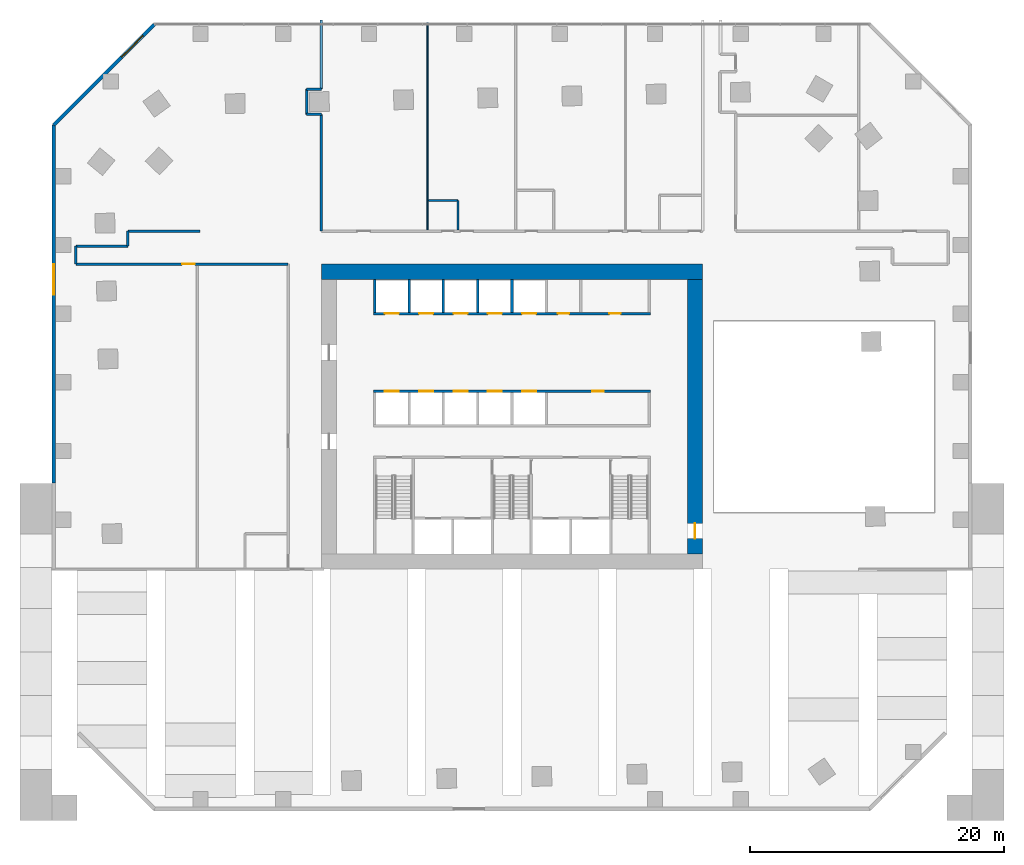
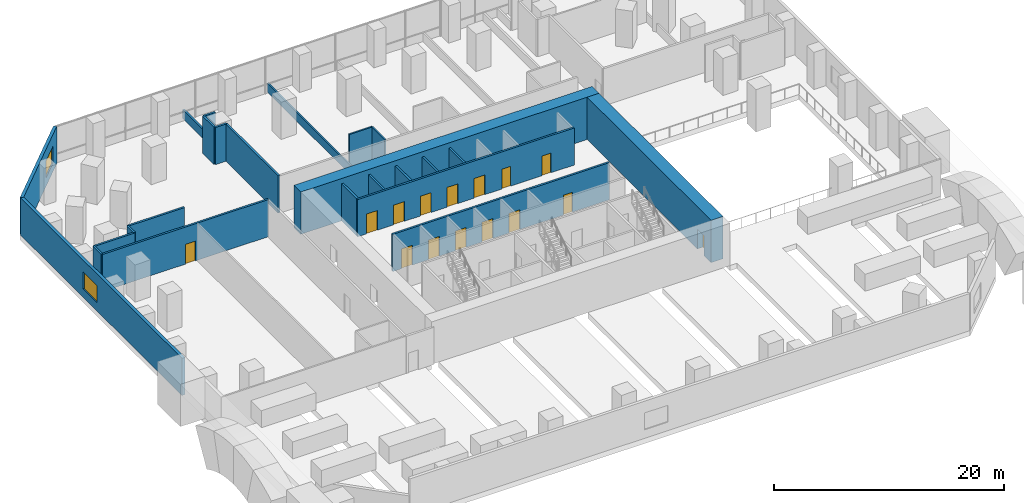
# One storey, part 8 of 13: 24 walls, 15 doors, 2 windows, 17 openings.
"""IFC4 building model written with IfcOpenShell, lengths in metres."""

from ifc_helpers import new_model, si_unit, direction, frame, frame_2d, origin, place, context, subcontext, project, spatial, rectangle, extrude, material, layer, layer_set, type_object, element, fill, save


model = new_model("IFC4")

# Units and contexts
model_context = context("Model", 3, precision=1e-05, world=origin(), true_north=direction((0.0, 1.0)))
body_context = subcontext(model_context, "Body", "Model", "MODEL_VIEW")
ifc_project = project(units=[si_unit("LENGTHUNIT", "METRE"), si_unit("AREAUNIT", "SQUARE_METRE"), si_unit("VOLUMEUNIT", "CUBIC_METRE"), si_unit("PLANEANGLEUNIT", "RADIAN"), si_unit("MASSUNIT", "GRAM", prefix="KILO")], contexts=[model_context])

# Site, building, storey
site_placement = place(None, origin())
site = spatial("IfcSite", under=ifc_project, at=site_placement, CompositionType="ELEMENT")
building_placement = place(site_placement, origin())
building = spatial("IfcBuilding", under=site, at=building_placement, Name="Mangrove Gate Tower", CompositionType="ELEMENT")
storey_placement = place(building_placement, frame((0.0, 0.0, 20.5)))
storey = spatial("IfcBuildingStorey", under=building, at=storey_placement, Name="L04", CompositionType="ELEMENT", Elevation=20.5)

# Wall, openings, doors
ifc_material_1 = material(Name="Concrete C70/85", Category="concrete")
ifc_layer_1 = layer(ifc_material_1, 0.199951171875)
ifc_layer_set_1 = layer_set([ifc_layer_1], Name="Core shaft wall 200 C70/85")
wall_type_1 = type_object("IfcWallType", Name="Core shaft wall 200 C70/85", PredefinedType="SHEAR", material=ifc_layer_set_1)
wall_1_placement = place(storey_placement, frame((-10.89990234375, 2.0, 0.0), z_axis=(0.0, 0.0, 1.0), x_axis=(1.0, 0.0, 0.0)))
wall_1 = element("IfcWall", 1, at=wall_1_placement, inside=storey, type_object=wall_type_1, Name="WALL-L04-CORE-7", PredefinedType="SHEAR", context=body_context, shape_type="SweptSolid", body=[
    extrude(rectangle(XDim=21.7998046875, YDim=0.199951171875, at=frame_2d((10.89990234375, 0.0))), origin(), (0.0, 0.0, 1.0), 3.949951171875),
])
opening_1_placement = place(wall_1_placement, frame((0.89990234375, 0.0, 0.0)))
opening_1 = element("IfcOpeningElement", 2, at=opening_1_placement, cuts=wall_1, Name="Opening LD", PredefinedType="OPENING", context=body_context, shape_type="SweptSolid", body=[
    extrude(rectangle(XDim=1.10009765625, YDim=2.10009765625, at=frame_2d((0.550048828125, 1.050048828125))), frame((0.0, 0.10986328125, 0.0), z_axis=(0.0, -1.0, 0.0), x_axis=(1.0, 0.0, 0.0)), (0.0, 0.0, 1.0), 0.219970703125),
])
opening_2_placement = place(wall_1_placement, frame((3.60009765625, 0.0, 0.0)))
opening_2 = element("IfcOpeningElement", 3, at=opening_2_placement, cuts=wall_1, Name="Opening LD", PredefinedType="OPENING", context=body_context, shape_type="SweptSolid", body=[
    extrude(rectangle(XDim=1.10009765625, YDim=2.10009765625, at=frame_2d((0.550048828125, 1.050048828125))), frame((0.0, 0.10986328125, 0.0), z_axis=(0.0, -1.0, 0.0), x_axis=(1.0, 0.0, 0.0)), (0.0, 0.0, 1.0), 0.219970703125),
])
opening_3_placement = place(wall_1_placement, frame((6.300048828125, 0.0, 0.0)))
opening_3 = element("IfcOpeningElement", 4, at=opening_3_placement, cuts=wall_1, Name="Opening LD", PredefinedType="OPENING", context=body_context, shape_type="SweptSolid", body=[
    extrude(rectangle(XDim=1.10009765625, YDim=2.10009765625, at=frame_2d((0.550048828125, 1.050048828125))), frame((0.0, 0.10986328125, 0.0), z_axis=(0.0, -1.0, 0.0), x_axis=(1.0, 0.0, 0.0)), (0.0, 0.0, 1.0), 0.219970703125),
])
opening_4_placement = place(wall_1_placement, frame((9.0, 0.0, 0.0)))
opening_4 = element("IfcOpeningElement", 5, at=opening_4_placement, cuts=wall_1, Name="Opening LD", PredefinedType="OPENING", context=body_context, shape_type="SweptSolid", body=[
    extrude(rectangle(XDim=1.10009765625, YDim=2.10009765625, at=frame_2d((0.550048828125, 1.050048828125))), frame((0.0, 0.10986328125, 0.0), z_axis=(0.0, -1.0, 0.0), x_axis=(1.0, 0.0, 0.0)), (0.0, 0.0, 1.0), 0.219970703125),
])
opening_5_placement = place(wall_1_placement, frame((11.699951171875, 0.0, 0.0)))
opening_5 = element("IfcOpeningElement", 6, at=opening_5_placement, cuts=wall_1, Name="Opening LD", PredefinedType="OPENING", context=body_context, shape_type="SweptSolid", body=[
    extrude(rectangle(XDim=1.10009765625, YDim=2.10009765625, at=frame_2d((0.550048828125, 1.050048828125))), frame((0.0, 0.10986328125, 0.0), z_axis=(0.0, -1.0, 0.0), x_axis=(1.0, 0.0, 0.0)), (0.0, 0.0, 1.0), 0.219970703125),
])
opening_6_placement = place(wall_1_placement, frame((17.199951171875, 0.0, 0.0)))
opening_6 = element("IfcOpeningElement", 7, at=opening_6_placement, cuts=wall_1, Name="Opening KD", PredefinedType="OPENING", context=body_context, shape_type="SweptSolid", body=[
    extrude(rectangle(XDim=0.89990234375, YDim=2.10009765625, at=frame_2d((0.449951171875, 1.050048828125))), frame((0.0, 0.10986328125, 0.0), z_axis=(0.0, -1.0, 0.0), x_axis=(1.0, 0.0, 0.0)), (0.0, 0.0, 1.0), 0.219970703125),
])
ifc_material_2 = material(Name="Fire-rated steel door set", Category="steel")
door_type_1 = type_object("IfcDoorType", Name="Core room door FD30S 900x2100", OperationType="SINGLE_SWING_RIGHT", PredefinedType="DOOR", material=ifc_material_2)
door_1_placement = place(opening_6_placement, origin())
door_1 = element("IfcDoor", 8, at=door_1_placement, inside=storey, type_object=door_type_1, Name="Core room door Core WC", OperationType="SINGLE_SWING_RIGHT", OverallHeight=2.10009765625, OverallWidth=0.89990234375, PredefinedType="DOOR", context=body_context, shape_type="SweptSolid", body=[
    extrude(rectangle(XDim=0.89990234375, YDim=2.10009765625, at=frame_2d((0.449951171875, 1.050048828125))), frame((0.0, 0.02490234375, 0.0), z_axis=(0.0, -1.0, 0.0), x_axis=(1.0, 0.0, 0.0)), (0.0, 0.0, 1.0), 0.050048828125),
])
fill(opening_6, door_1)
ifc_material_3 = material(Name="Stainless steel 316", Category="steel")
door_type_2 = type_object("IfcDoorType", Name="Lift landing door 1100x2100", OperationType="SLIDING_TO_LEFT", PredefinedType="DOOR", material=ifc_material_3)
door_2_placement = place(opening_1_placement, origin())
door_2 = element("IfcDoor", 9, at=door_2_placement, inside=storey, type_object=door_type_2, Name="Landing door LD P01", OperationType="SLIDING_TO_LEFT", OverallHeight=2.10009765625, OverallWidth=1.10009765625, PredefinedType="DOOR", context=body_context, shape_type="SweptSolid", body=[
    extrude(rectangle(XDim=1.10009765625, YDim=2.10009765625, at=frame_2d((0.550048828125, 1.050048828125))), frame((0.0, 0.02490234375, 0.0), z_axis=(0.0, -1.0, 0.0), x_axis=(1.0, 0.0, 0.0)), (0.0, 0.0, 1.0), 0.050048828125),
])
fill(opening_1, door_2)
door_3_placement = place(opening_2_placement, origin())
door_3 = element("IfcDoor", 10, at=door_3_placement, inside=storey, type_object=door_type_2, Name="Landing door LD P02", OperationType="SLIDING_TO_LEFT", OverallHeight=2.10009765625, OverallWidth=1.10009765625, PredefinedType="DOOR", context=body_context, shape_type="SweptSolid", body=[
    extrude(rectangle(XDim=1.10009765625, YDim=2.10009765625, at=frame_2d((0.550048828125, 1.050048828125))), frame((0.0, 0.02490234375, 0.0), z_axis=(0.0, -1.0, 0.0), x_axis=(1.0, 0.0, 0.0)), (0.0, 0.0, 1.0), 0.050048828125),
])
fill(opening_2, door_3)
door_4_placement = place(opening_3_placement, origin())
door_4 = element("IfcDoor", 11, at=door_4_placement, inside=storey, type_object=door_type_2, Name="Landing door LD P03", OperationType="SLIDING_TO_LEFT", OverallHeight=2.10009765625, OverallWidth=1.10009765625, PredefinedType="DOOR", context=body_context, shape_type="SweptSolid", body=[
    extrude(rectangle(XDim=1.10009765625, YDim=2.10009765625, at=frame_2d((0.550048828125, 1.050048828125))), frame((0.0, 0.02490234375, 0.0), z_axis=(0.0, -1.0, 0.0), x_axis=(1.0, 0.0, 0.0)), (0.0, 0.0, 1.0), 0.050048828125),
])
fill(opening_3, door_4)
door_5_placement = place(opening_4_placement, origin())
door_5 = element("IfcDoor", 12, at=door_5_placement, inside=storey, type_object=door_type_2, Name="Landing door LD P04", OperationType="SLIDING_TO_LEFT", OverallHeight=2.10009765625, OverallWidth=1.10009765625, PredefinedType="DOOR", context=body_context, shape_type="SweptSolid", body=[
    extrude(rectangle(XDim=1.10009765625, YDim=2.10009765625, at=frame_2d((0.550048828125, 1.050048828125))), frame((0.0, 0.02490234375, 0.0), z_axis=(0.0, -1.0, 0.0), x_axis=(1.0, 0.0, 0.0)), (0.0, 0.0, 1.0), 0.050048828125),
])
fill(opening_4, door_5)
door_6_placement = place(opening_5_placement, origin())
door_6 = element("IfcDoor", 13, at=door_6_placement, inside=storey, type_object=door_type_2, Name="Landing door LD P05", OperationType="SLIDING_TO_LEFT", OverallHeight=2.10009765625, OverallWidth=1.10009765625, PredefinedType="DOOR", context=body_context, shape_type="SweptSolid", body=[
    extrude(rectangle(XDim=1.10009765625, YDim=2.10009765625, at=frame_2d((0.550048828125, 1.050048828125))), frame((0.0, 0.02490234375, 0.0), z_axis=(0.0, -1.0, 0.0), x_axis=(1.0, 0.0, 0.0)), (0.0, 0.0, 1.0), 0.050048828125),
])
fill(opening_5, door_6)

wall_2_placement = place(storey_placement, frame((-10.89990234375, 8.10009765625, 0.0), z_axis=(0.0, 0.0, 1.0), x_axis=(1.0, 0.0, 0.0)))
wall_2 = element("IfcWall", 14, at=wall_2_placement, inside=storey, type_object=wall_type_1, Name="WALL-L04-CORE-8", PredefinedType="SHEAR", context=body_context, shape_type="SweptSolid", body=[
    extrude(rectangle(XDim=21.7998046875, YDim=0.199951171875, at=frame_2d((10.89990234375, 0.0))), origin(), (0.0, 0.0, 1.0), 3.949951171875),
])
opening_7_placement = place(wall_2_placement, frame((0.89990234375, 0.0, 0.0)))
opening_7 = element("IfcOpeningElement", 15, at=opening_7_placement, cuts=wall_2, Name="Opening LD", PredefinedType="OPENING", context=body_context, shape_type="SweptSolid", body=[
    extrude(rectangle(XDim=1.10009765625, YDim=2.10009765625, at=frame_2d((0.550048828125, 1.050048828125))), frame((0.0, 0.10986328125, 0.0), z_axis=(0.0, -1.0, 0.0), x_axis=(1.0, 0.0, 0.0)), (0.0, 0.0, 1.0), 0.219970703125),
])
opening_8_placement = place(wall_2_placement, frame((3.60009765625, 0.0, 0.0)))
opening_8 = element("IfcOpeningElement", 16, at=opening_8_placement, cuts=wall_2, Name="Opening LD", PredefinedType="OPENING", context=body_context, shape_type="SweptSolid", body=[
    extrude(rectangle(XDim=1.10009765625, YDim=2.10009765625, at=frame_2d((0.550048828125, 1.050048828125))), frame((0.0, 0.10986328125, 0.0), z_axis=(0.0, -1.0, 0.0), x_axis=(1.0, 0.0, 0.0)), (0.0, 0.0, 1.0), 0.219970703125),
])
opening_9_placement = place(wall_2_placement, frame((6.300048828125, 0.0, 0.0)))
opening_9 = element("IfcOpeningElement", 17, at=opening_9_placement, cuts=wall_2, Name="Opening LD", PredefinedType="OPENING", context=body_context, shape_type="SweptSolid", body=[
    extrude(rectangle(XDim=1.10009765625, YDim=2.10009765625, at=frame_2d((0.550048828125, 1.050048828125))), frame((0.0, 0.10986328125, 0.0), z_axis=(0.0, -1.0, 0.0), x_axis=(1.0, 0.0, 0.0)), (0.0, 0.0, 1.0), 0.219970703125),
])
opening_10_placement = place(wall_2_placement, frame((9.0, 0.0, 0.0)))
opening_10 = element("IfcOpeningElement", 18, at=opening_10_placement, cuts=wall_2, Name="Opening LD", PredefinedType="OPENING", context=body_context, shape_type="SweptSolid", body=[
    extrude(rectangle(XDim=1.10009765625, YDim=2.10009765625, at=frame_2d((0.550048828125, 1.050048828125))), frame((0.0, 0.10986328125, 0.0), z_axis=(0.0, -1.0, 0.0), x_axis=(1.0, 0.0, 0.0)), (0.0, 0.0, 1.0), 0.219970703125),
])
opening_11_placement = place(wall_2_placement, frame((11.699951171875, 0.0, 0.0)))
opening_11 = element("IfcOpeningElement", 19, at=opening_11_placement, cuts=wall_2, Name="Opening LD", PredefinedType="OPENING", context=body_context, shape_type="SweptSolid", body=[
    extrude(rectangle(XDim=1.10009765625, YDim=2.10009765625, at=frame_2d((0.550048828125, 1.050048828125))), frame((0.0, 0.10986328125, 0.0), z_axis=(0.0, -1.0, 0.0), x_axis=(1.0, 0.0, 0.0)), (0.0, 0.0, 1.0), 0.219970703125),
])
opening_12_placement = place(wall_2_placement, frame((14.5, 0.0, 0.0)))
opening_12 = element("IfcOpeningElement", 20, at=opening_12_placement, cuts=wall_2, Name="Opening KD", PredefinedType="OPENING", context=body_context, shape_type="SweptSolid", body=[
    extrude(rectangle(XDim=0.89990234375, YDim=2.10009765625, at=frame_2d((0.449951171875, 1.050048828125))), frame((0.0, 0.10986328125, 0.0), z_axis=(0.0, -1.0, 0.0), x_axis=(1.0, 0.0, 0.0)), (0.0, 0.0, 1.0), 0.219970703125),
])
opening_13_placement = place(wall_2_placement, frame((18.550048828125, 0.0, 0.0)))
opening_13 = element("IfcOpeningElement", 21, at=opening_13_placement, cuts=wall_2, Name="Opening KD", PredefinedType="OPENING", context=body_context, shape_type="SweptSolid", body=[
    extrude(rectangle(XDim=0.89990234375, YDim=2.10009765625, at=frame_2d((0.449951171875, 1.050048828125))), frame((0.0, 0.10986328125, 0.0), z_axis=(0.0, -1.0, 0.0), x_axis=(1.0, 0.0, 0.0)), (0.0, 0.0, 1.0), 0.219970703125),
])
door_7_placement = place(opening_12_placement, origin())
door_7 = element("IfcDoor", 22, at=door_7_placement, inside=storey, type_object=door_type_1, Name="Core room door Pantry store", OperationType="SINGLE_SWING_RIGHT", OverallHeight=2.10009765625, OverallWidth=0.89990234375, PredefinedType="DOOR", context=body_context, shape_type="SweptSolid", body=[
    extrude(rectangle(XDim=0.89990234375, YDim=2.10009765625, at=frame_2d((0.449951171875, 1.050048828125))), frame((0.0, 0.02490234375, 0.0), z_axis=(0.0, -1.0, 0.0), x_axis=(1.0, 0.0, 0.0)), (0.0, 0.0, 1.0), 0.050048828125),
])
fill(opening_12, door_7)
door_8_placement = place(opening_13_placement, origin())
door_8 = element("IfcDoor", 23, at=door_8_placement, inside=storey, type_object=door_type_1, Name="Core room door Cleaner's store", OperationType="SINGLE_SWING_RIGHT", OverallHeight=2.10009765625, OverallWidth=0.89990234375, PredefinedType="DOOR", context=body_context, shape_type="SweptSolid", body=[
    extrude(rectangle(XDim=0.89990234375, YDim=2.10009765625, at=frame_2d((0.449951171875, 1.050048828125))), frame((0.0, 0.02490234375, 0.0), z_axis=(0.0, -1.0, 0.0), x_axis=(1.0, 0.0, 0.0)), (0.0, 0.0, 1.0), 0.050048828125),
])
fill(opening_13, door_8)
door_9_placement = place(opening_7_placement, origin())
door_9 = element("IfcDoor", 24, at=door_9_placement, inside=storey, type_object=door_type_2, Name="Landing door LD P06", OperationType="SLIDING_TO_LEFT", OverallHeight=2.10009765625, OverallWidth=1.10009765625, PredefinedType="DOOR", context=body_context, shape_type="SweptSolid", body=[
    extrude(rectangle(XDim=1.10009765625, YDim=2.10009765625, at=frame_2d((0.550048828125, 1.050048828125))), frame((0.0, 0.02490234375, 0.0), z_axis=(0.0, -1.0, 0.0), x_axis=(1.0, 0.0, 0.0)), (0.0, 0.0, 1.0), 0.050048828125),
])
fill(opening_7, door_9)
door_10_placement = place(opening_8_placement, origin())
door_10 = element("IfcDoor", 25, at=door_10_placement, inside=storey, type_object=door_type_2, Name="Landing door LD P07", OperationType="SLIDING_TO_LEFT", OverallHeight=2.10009765625, OverallWidth=1.10009765625, PredefinedType="DOOR", context=body_context, shape_type="SweptSolid", body=[
    extrude(rectangle(XDim=1.10009765625, YDim=2.10009765625, at=frame_2d((0.550048828125, 1.050048828125))), frame((0.0, 0.02490234375, 0.0), z_axis=(0.0, -1.0, 0.0), x_axis=(1.0, 0.0, 0.0)), (0.0, 0.0, 1.0), 0.050048828125),
])
fill(opening_8, door_10)
door_11_placement = place(opening_9_placement, origin())
door_11 = element("IfcDoor", 26, at=door_11_placement, inside=storey, type_object=door_type_2, Name="Landing door LD P08", OperationType="SLIDING_TO_LEFT", OverallHeight=2.10009765625, OverallWidth=1.10009765625, PredefinedType="DOOR", context=body_context, shape_type="SweptSolid", body=[
    extrude(rectangle(XDim=1.10009765625, YDim=2.10009765625, at=frame_2d((0.550048828125, 1.050048828125))), frame((0.0, 0.02490234375, 0.0), z_axis=(0.0, -1.0, 0.0), x_axis=(1.0, 0.0, 0.0)), (0.0, 0.0, 1.0), 0.050048828125),
])
fill(opening_9, door_11)
door_12_placement = place(opening_10_placement, origin())
door_12 = element("IfcDoor", 27, at=door_12_placement, inside=storey, type_object=door_type_2, Name="Landing door LD P09", OperationType="SLIDING_TO_LEFT", OverallHeight=2.10009765625, OverallWidth=1.10009765625, PredefinedType="DOOR", context=body_context, shape_type="SweptSolid", body=[
    extrude(rectangle(XDim=1.10009765625, YDim=2.10009765625, at=frame_2d((0.550048828125, 1.050048828125))), frame((0.0, 0.02490234375, 0.0), z_axis=(0.0, -1.0, 0.0), x_axis=(1.0, 0.0, 0.0)), (0.0, 0.0, 1.0), 0.050048828125),
])
fill(opening_10, door_12)
door_13_placement = place(opening_11_placement, origin())
door_13 = element("IfcDoor", 28, at=door_13_placement, inside=storey, type_object=door_type_2, Name="Landing door LD P10", OperationType="SLIDING_TO_LEFT", OverallHeight=2.10009765625, OverallWidth=1.10009765625, PredefinedType="DOOR", context=body_context, shape_type="SweptSolid", body=[
    extrude(rectangle(XDim=1.10009765625, YDim=2.10009765625, at=frame_2d((0.550048828125, 1.050048828125))), frame((0.0, 0.02490234375, 0.0), z_axis=(0.0, -1.0, 0.0), x_axis=(1.0, 0.0, 0.0)), (0.0, 0.0, 1.0), 0.050048828125),
])
fill(opening_11, door_13)

# Walls
for number, where, z_axis, x_axis, name in (
    (29, (-10.800048828125, 8.199951171875, 0.0), (0.0, 0.0, 1.0), (0.0, 1.0, 0.0), "WALL-L04-CORE-26"),
    (30, (-8.10009765625, 8.199951171875, 0.0), (0.0, 0.0, 1.0), (0.0, 1.0, 0.0), "WALL-L04-CORE-27"),
    (31, (-5.39990234375, 8.199951171875, 0.0), (0.0, 0.0, 1.0), (0.0, 1.0, 0.0), "WALL-L04-CORE-28"),
    (32, (-2.699951171875, 8.199951171875, 0.0), (0.0, 0.0, 1.0), (0.0, 1.0, 0.0), "WALL-L04-CORE-29"),
    (33, (0.0, 8.199951171875, 0.0), (0.0, 0.0, 1.0), (0.0, 1.0, 0.0), "WALL-L04-CORE-30"),
):
    element("IfcWall", number, at=place(storey_placement, frame(where, z_axis=z_axis, x_axis=x_axis)), inside=storey, type_object=wall_type_1, Name=name, PredefinedType="SHEAR", context=body_context, shape_type="SweptSolid", body=[
        extrude(rectangle(XDim=2.60009765625, YDim=0.199951171875, at=frame_2d((1.300048828125, 0.0))), origin(), (0.0, 0.0, 1.0), 3.949951171875),
    ])
ifc_material_4 = material(Name="Concrete C70/85", Category="concrete")
ifc_layer_2 = layer(ifc_material_4, 1.199951171875)
ifc_layer_set_2 = layer_set([ifc_layer_2], Name="Core wall 1200 C70/85")
wall_type_2 = type_object("IfcWallType", Name="Core wall 1200 C70/85", PredefinedType="SHEAR", material=ifc_layer_set_2)
wall_3_placement = place(storey_placement, frame((-15.0, 11.39990234375, 0.0), z_axis=(0.0, 0.0, 1.0), x_axis=(1.0, 0.0, 0.0)))
element("IfcWall", 34, at=wall_3_placement, inside=storey, type_object=wall_type_2, Name="WALL-L04-CORE-2", PredefinedType="SHEAR", context=body_context, shape_type="SweptSolid", body=[
    extrude(rectangle(XDim=30.0, YDim=1.199951171875, at=frame_2d((15.0, 0.0))), origin(), (0.0, 0.0, 1.0), 4.5),
])

# Wall, opening, door
wall_4_placement = place(storey_placement, frame((14.39990234375, -10.800048828125, 0.0), z_axis=(0.0, 0.0, 1.0), x_axis=(0.0, 1.0, 0.0)))
wall_4 = element("IfcWall", 35, at=wall_4_placement, inside=storey, type_object=wall_type_2, Name="WALL-L04-CORE-4", PredefinedType="SHEAR", context=body_context, shape_type="SweptSolid", body=[
    extrude(rectangle(XDim=21.60009765625, YDim=1.199951171875, at=frame_2d((10.800048828125, 0.0))), origin(), (0.0, 0.0, 1.0), 4.5),
])
opening_14_placement = place(wall_4_placement, frame((1.199951171875, 0.0, 0.0)))
opening_14 = element("IfcOpeningElement", 36, at=opening_14_placement, cuts=wall_4, Name="Opening CD", PredefinedType="OPENING", context=body_context, shape_type="SweptSolid", body=[
    extrude(rectangle(XDim=1.199951171875, YDim=2.10009765625, at=frame_2d((0.60009765625, 1.050048828125))), frame((0.0, 0.60986328125, 0.0), z_axis=(0.0, -1.0, 0.0), x_axis=(1.0, 0.0, 0.0)), (0.0, 0.0, 1.0), 1.219970703125),
])
ifc_material_5 = material(Name="Fire-rated steel door set", Category="steel")
door_type_3 = type_object("IfcDoorType", Name="Core ring door FD60 1200x2100", OperationType="DOUBLE_DOOR_SINGLE_SWING", PredefinedType="DOOR", material=ifc_material_5)
door_14_placement = place(opening_14_placement, origin())
door_14 = element("IfcDoor", 37, at=door_14_placement, inside=storey, type_object=door_type_3, Name="Core ring door E1", OperationType="DOUBLE_DOOR_SINGLE_SWING", OverallHeight=2.10009765625, OverallWidth=1.199951171875, PredefinedType="DOOR", context=body_context, shape_type="SweptSolid", body=[
    extrude(rectangle(XDim=1.199951171875, YDim=2.10009765625, at=frame_2d((0.60009765625, 1.050048828125))), frame((0.0, 0.02490234375, 0.0), z_axis=(0.0, -1.0, 0.0), x_axis=(1.0, 0.0, 0.0)), (0.0, 0.0, 1.0), 0.050048828125),
])
fill(opening_14, door_14)

ifc_material_6 = material(Name="Gypsum board on steel stud, EI 60", Category="steel")
ifc_layer_3 = layer(ifc_material_6, 0.199951171875)
ifc_layer_set_3 = layer_set([ifc_layer_3], Name="Corridor wall EI 60")
wall_type_3 = type_object("IfcWallType", Name="Corridor wall EI 60", PredefinedType="PARTITIONING", material=ifc_layer_set_3)
wall_5_placement = place(storey_placement, frame((-34.300048828125, 12.0, 0.0), z_axis=(0.0, 0.0, 1.0), x_axis=(1.0, 0.0, 0.0)))
wall_5 = element("IfcWall", 38, at=wall_5_placement, inside=storey, type_object=wall_type_3, Name="WALL-L04-008", PredefinedType="PARTITIONING", context=body_context, shape_type="SweptSolid", body=[
    extrude(rectangle(XDim=16.699951171875, YDim=0.199951171875, at=frame_2d((8.35009765625, 0.0))), origin(), (0.0, 0.0, 1.0), 3.949951171875),
])
opening_15_placement = place(wall_5_placement, frame((8.35009765625, 0.0, 0.0)))
opening_15 = element("IfcOpeningElement", 39, at=opening_15_placement, cuts=wall_5, Name="Opening AD", PredefinedType="OPENING", context=body_context, shape_type="SweptSolid", body=[
    extrude(rectangle(XDim=1.0, YDim=2.10009765625, at=frame_2d((0.5, 1.050048828125))), frame((0.0, 0.10986328125, 0.0), z_axis=(0.0, -1.0, 0.0), x_axis=(1.0, 0.0, 0.0)), (0.0, 0.0, 1.0), 0.219970703125),
])
ifc_material_7 = material(Name="Timber door leaf", Category="wood")
door_type_4 = type_object("IfcDoorType", Name="Amenity door 1000", OperationType="SINGLE_SWING_LEFT", PredefinedType="DOOR", material=ifc_material_7)
door_15_placement = place(opening_15_placement, origin())
door_15 = element("IfcDoor", 40, at=door_15_placement, inside=storey, type_object=door_type_4, Name="DOOR-L04-POD-02", OperationType="SINGLE_SWING_RIGHT", OverallHeight=2.10009765625, OverallWidth=1.0, PredefinedType="DOOR", context=body_context, shape_type="SweptSolid", body=[
    extrude(rectangle(XDim=1.0, YDim=2.10009765625, at=frame_2d((0.5, 1.050048828125))), frame((0.0, 0.02490234375, 0.0), z_axis=(0.0, -1.0, 0.0), x_axis=(1.0, 0.0, 0.0)), (0.0, 0.0, 1.0), 0.050048828125),
])
fill(opening_15, door_15)

# Walls
wall_6_placement = place(storey_placement, frame((-34.300048828125, 12.0, 0.0), z_axis=(0.0, 0.0, 1.0), x_axis=(0.0, 1.0, 0.0)))
element("IfcWall", 41, at=wall_6_placement, inside=storey, type_object=wall_type_3, Name="WALL-L04-009", PredefinedType="PARTITIONING", context=body_context, shape_type="SweptSolid", body=[
    extrude(rectangle(XDim=1.423095703125, YDim=0.199951171875, at=frame_2d((0.71142578125, 0.0))), origin(), (0.0, 0.0, 1.0), 3.949951171875),
])
wall_7_placement = place(storey_placement, frame((-34.300048828125, 13.419921875, 0.0), z_axis=(0.0, 0.0, 1.0), x_axis=(1.0, 0.0, 0.0)))
element("IfcWall", 42, at=wall_7_placement, inside=storey, type_object=wall_type_3, Name="WALL-L04-014", PredefinedType="PARTITIONING", context=body_context, shape_type="SweptSolid", body=[
    extrude(rectangle(XDim=4.0849609375, YDim=0.199951171875, at=frame_2d((2.04248046875, 0.0))), origin(), (0.0, 0.0, 1.0), 3.949951171875),
])
wall_8_placement = place(storey_placement, frame((-30.2099609375, 13.423095703125, 0.0), z_axis=(0.0, 0.0, 1.0), x_axis=(0.0, 1.0, 0.0)))
element("IfcWall", 43, at=wall_8_placement, inside=storey, type_object=wall_type_3, Name="WALL-L04-015", PredefinedType="PARTITIONING", context=body_context, shape_type="SweptSolid", body=[
    extrude(rectangle(XDim=1.177001953125, YDim=0.199951171875, at=frame_2d((0.58837890625, 0.0))), origin(), (0.0, 0.0, 1.0), 3.949951171875),
])
wall_9_placement = place(storey_placement, frame((-30.215087890625, 14.60009765625, 0.0), z_axis=(0.0, 0.0, 1.0), x_axis=(1.0, 0.0, 0.0)))
element("IfcWall", 44, at=wall_9_placement, inside=storey, type_object=wall_type_3, Name="WALL-L04-016", PredefinedType="PARTITIONING", context=body_context, shape_type="SweptSolid", body=[
    extrude(rectangle(XDim=5.669189453125, YDim=0.199951171875, at=frame_2d((2.83447265625, 0.0))), origin(), (0.0, 0.0, 1.0), 3.949951171875),
])
wall_10_placement = place(storey_placement, frame((-15.0, 14.60009765625, 0.0), z_axis=(0.0, 0.0, 1.0), x_axis=(0.0, 1.0, 0.0)))
element("IfcWall", 45, at=wall_10_placement, inside=storey, type_object=wall_type_3, Name="WALL-L04-018", PredefinedType="PARTITIONING", context=body_context, shape_type="SweptSolid", body=[
    extrude(rectangle(XDim=9.173828125, YDim=0.199951171875, at=frame_2d((4.5869140625, 0.0))), origin(), (0.0, 0.0, 1.0), 3.949951171875),
])
wall_11_placement = place(storey_placement, frame((-16.153076171875, 23.77001953125, 0.0), z_axis=(0.0, 0.0, 1.0), x_axis=(1.0, 0.0, 0.0)))
element("IfcWall", 46, at=wall_11_placement, inside=storey, type_object=wall_type_3, Name="WALL-L04-033", PredefinedType="PARTITIONING", context=body_context, shape_type="SweptSolid", body=[
    extrude(rectangle(XDim=1.153076171875, YDim=0.199951171875, at=frame_2d((0.57666015625, 0.0))), origin(), (0.0, 0.0, 1.0), 3.949951171875),
])
wall_12_placement = place(storey_placement, frame((-16.14990234375, 23.77392578125, 0.0), z_axis=(0.0, 0.0, 1.0), x_axis=(0.0, 1.0, 0.0)))
element("IfcWall", 47, at=wall_12_placement, inside=storey, type_object=wall_type_3, Name="WALL-L04-034", PredefinedType="PARTITIONING", context=body_context, shape_type="SweptSolid", body=[
    extrude(rectangle(XDim=2.0, YDim=0.199951171875, at=frame_2d((1.0, 0.0))), origin(), (0.0, 0.0, 1.0), 3.949951171875),
])
wall_13_placement = place(storey_placement, frame((-16.153076171875, 25.77001953125, 0.0), z_axis=(0.0, 0.0, 1.0), x_axis=(1.0, 0.0, 0.0)))
element("IfcWall", 48, at=wall_13_placement, inside=storey, type_object=wall_type_3, Name="WALL-L04-037", PredefinedType="PARTITIONING", context=body_context, shape_type="SweptSolid", body=[
    extrude(rectangle(XDim=1.153076171875, YDim=0.199951171875, at=frame_2d((0.57666015625, 0.0))), origin(), (0.0, 0.0, 1.0), 3.949951171875),
])
wall_14_placement = place(storey_placement, frame((-15.0, 25.77392578125, 0.0), z_axis=(0.0, 0.0, 1.0), x_axis=(0.0, 1.0, 0.0)))
element("IfcWall", 49, at=wall_14_placement, inside=storey, type_object=wall_type_3, Name="WALL-L04-038", PredefinedType="PARTITIONING", context=body_context, shape_type="SweptSolid", body=[
    extrude(rectangle(XDim=5.426025390625, YDim=0.199951171875, at=frame_2d((2.712890625, 0.0))), origin(), (0.0, 0.0, 1.0), 0.93994140625),
])

# Wall, opening, window
ifc_material_8 = material(Name="Limestone", Category="masonry")
ifc_layer_4 = layer(ifc_material_8, 0.0400390625, Name="Limestone cladding")
ifc_material_9 = material(Name="Ventilated air gap")
ifc_layer_5 = layer(ifc_material_9, 0.0400390625, Name="Ventilated cavity")
ifc_material_10 = material(Name="Mineral wool insulation")
ifc_layer_6 = layer(ifc_material_10, 0.06005859375, Name="Insulation")
ifc_material_11 = material(Name="Breather membrane")
ifc_layer_7 = layer(ifc_material_11, 0.001953125, Name="Breather membrane")
ifc_material_12 = material(Name="Concrete C20/25 blockwork", Category="masonry")
ifc_layer_8 = layer(ifc_material_12, 0.14990234375, Name="Blockwork backing wall")
ifc_material_13 = material(Name="Gypsum plaster")
ifc_layer_9 = layer(ifc_material_13, 0.008056640625, Name="Internal plaster")
ifc_layer_set_4 = layer_set([ifc_layer_4, ifc_layer_5, ifc_layer_6, ifc_layer_7, ifc_layer_8, ifc_layer_9], Name="External wall 300 limestone cladding")
wall_type_4 = type_object("IfcWallType", Name="External wall 300 limestone cladding", PredefinedType="SOLIDWALL", material=ifc_layer_set_4)
wall_15_placement = place(storey_placement, frame((-28.137939453125, 30.85009765625, 0.0), z_axis=(0.0, 0.0, 1.0), x_axis=(-0.707106781187, -0.707106781187, 0.0)))
wall_15 = element("IfcWall", 50, at=wall_15_placement, inside=storey, type_object=wall_type_4, Name="WALL-L04-N4", PredefinedType="SOLIDWALL", context=body_context, shape_type="SweptSolid", body=[
    extrude(rectangle(XDim=11.189453125, YDim=0.300048828125, at=frame_2d((5.5947265625, 0.0))), origin(), (0.0, 0.0, 1.0), 3.949951171875),
])
opening_16_placement = place(wall_15_placement, frame((1.241943359375, 0.0, 0.89990234375)))
opening_16 = element("IfcOpeningElement", 51, at=opening_16_placement, cuts=wall_15, Name="Opening W3", PredefinedType="OPENING", context=body_context, shape_type="SweptSolid", body=[
    extrude(rectangle(XDim=2.39990234375, YDim=1.800048828125, at=frame_2d((1.199951171875, 0.89990234375))), frame((0.0, 0.159912109375, 0.0), z_axis=(0.0, -1.0, 0.0), x_axis=(1.0, 0.0, 0.0)), (0.0, 0.0, 1.0), 0.320068359375),
])
ifc_material_14 = material(Name="Aluminium frame with double-glazed low-e glass", Category="aluminium")
window_type = type_object("IfcWindowType", Name="Podium window 2400x1800", PartitioningType="DOUBLE_PANEL_VERTICAL", PredefinedType="WINDOW", material=ifc_material_14)
window_1_placement = place(opening_16_placement, origin())
window_1 = element("IfcWindow", 52, at=window_1_placement, inside=storey, type_object=window_type, Name="WIN-L04-N4-1", OverallHeight=1.800048828125, OverallWidth=2.39990234375, PartitioningType="DOUBLE_PANEL_VERTICAL", PredefinedType="WINDOW", context=body_context, shape_type="SweptSolid", body=[
    extrude(rectangle(XDim=2.39990234375, YDim=1.800048828125, at=frame_2d((1.199951171875, 0.89990234375))), frame((0.0, 0.030029296875, 0.0), z_axis=(0.0, -1.0, 0.0), x_axis=(1.0, 0.0, 0.0)), (0.0, 0.0, 1.0), 0.06005859375),
])
fill(opening_16, window_1)

wall_16_placement = place(storey_placement, frame((-36.050048828125, 22.93798828125, 0.0), z_axis=(0.0, 0.0, 1.0), x_axis=(0.0, -1.0, 0.0)))
wall_16 = element("IfcWall", 53, at=wall_16_placement, inside=storey, type_object=wall_type_4, Name="WALL-L04-W5", PredefinedType="SOLIDWALL", context=body_context, shape_type="SweptSolid", body=[
    extrude(rectangle(XDim=28.174072265625, YDim=0.300048828125, at=frame_2d((14.0869140625, 0.0))), origin(), (0.0, 0.0, 1.0), 3.949951171875),
])
opening_17_placement = place(wall_16_placement, frame((10.93798828125, 0.0, 0.89990234375)))
opening_17 = element("IfcOpeningElement", 54, at=opening_17_placement, cuts=wall_16, Name="Opening W3", PredefinedType="OPENING", context=body_context, shape_type="SweptSolid", body=[
    extrude(rectangle(XDim=2.39990234375, YDim=1.800048828125, at=frame_2d((1.199951171875, 0.89990234375))), frame((0.0, 0.159912109375, 0.0), z_axis=(0.0, -1.0, 0.0), x_axis=(1.0, 0.0, 0.0)), (0.0, 0.0, 1.0), 0.320068359375),
])
window_2_placement = place(opening_17_placement, origin())
window_2 = element("IfcWindow", 55, at=window_2_placement, inside=storey, type_object=window_type, Name="WIN-L04-W5-1", OverallHeight=1.800048828125, OverallWidth=2.39990234375, PartitioningType="DOUBLE_PANEL_VERTICAL", PredefinedType="WINDOW", context=body_context, shape_type="SweptSolid", body=[
    extrude(rectangle(XDim=2.39990234375, YDim=1.800048828125, at=frame_2d((1.199951171875, 0.89990234375))), frame((0.0, 0.030029296875, 0.0), z_axis=(0.0, -1.0, 0.0), x_axis=(1.0, 0.0, 0.0)), (0.0, 0.0, 1.0), 0.06005859375),
])
fill(opening_17, window_2)

# Walls
ifc_material_15 = material(Name="Gypsum board on steel stud, EI 60", Category="steel")
ifc_layer_10 = layer(ifc_material_15, 0.14990234375)
ifc_layer_set_5 = layer_set([ifc_layer_10], Name="Party wall 150 EI 60")
wall_type_5 = type_object("IfcWallType", Name="Party wall 150 EI 60", PredefinedType="PARTITIONING", material=ifc_layer_set_5)
wall_17_placement = place(storey_placement, frame((-6.64990234375, 14.699951171875, 0.0), z_axis=(0.0, 0.0, 1.0), x_axis=(0.0, 1.0, 0.0)))
element("IfcWall", 56, at=wall_17_placement, inside=storey, type_object=wall_type_5, Name="WALL-L04-019", PredefinedType="PARTITIONING", context=body_context, shape_type="SweptSolid", body=[
    extrude(rectangle(XDim=16.300048828125, YDim=0.14990234375, at=frame_2d((8.14990234375, 0.0))), origin(), (0.0, 0.0, 1.0), 0.93994140625),
])
wall_18_placement = place(storey_placement, frame((-4.25, 14.699951171875, 0.0), z_axis=(0.0, 0.0, 1.0), x_axis=(0.0, 1.0, 0.0)))
element("IfcWall", 57, at=wall_18_placement, inside=storey, type_object=wall_type_5, Name="WALL-L04-020", PredefinedType="PARTITIONING", context=body_context, shape_type="SweptSolid", body=[
    extrude(rectangle(XDim=2.300048828125, YDim=0.14990234375, at=frame_2d((1.14990234375, 0.0))), origin(), (0.0, 0.0, 1.0), 3.949951171875),
])
wall_19_placement = place(storey_placement, frame((-6.574951171875, 17.0, 0.0), z_axis=(0.0, 0.0, 1.0), x_axis=(1.0, 0.0, 0.0)))
element("IfcWall", 58, at=wall_19_placement, inside=storey, type_object=wall_type_5, Name="WALL-L04-029", PredefinedType="PARTITIONING", context=body_context, shape_type="SweptSolid", body=[
    extrude(rectangle(XDim=2.324951171875, YDim=0.14990234375, at=frame_2d((1.16259765625, 0.0))), origin(), (0.0, 0.0, 1.0), 3.949951171875),
])

save(model, "model.ifc")
